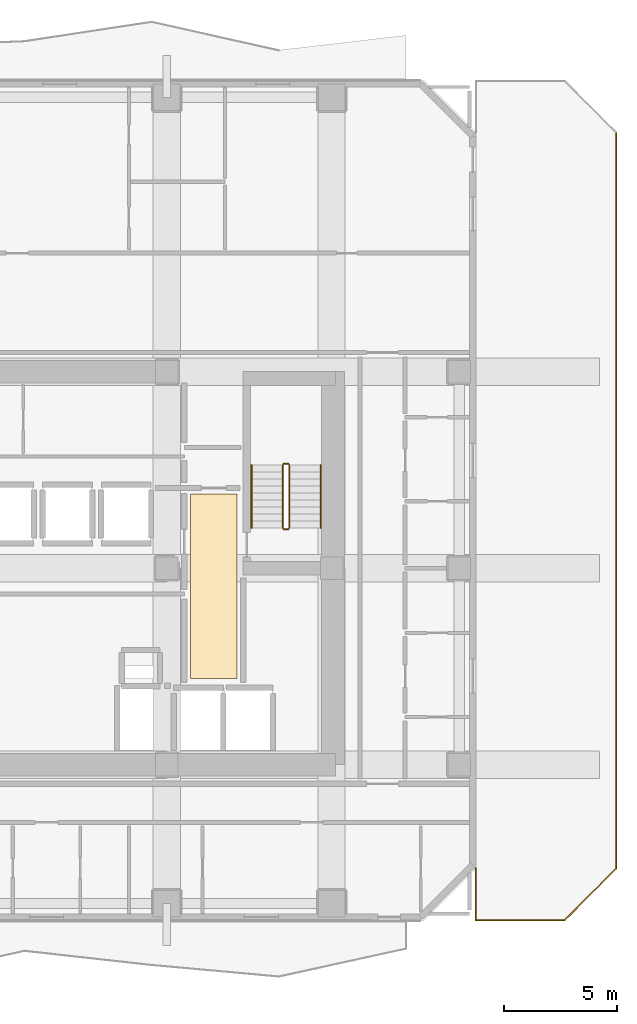
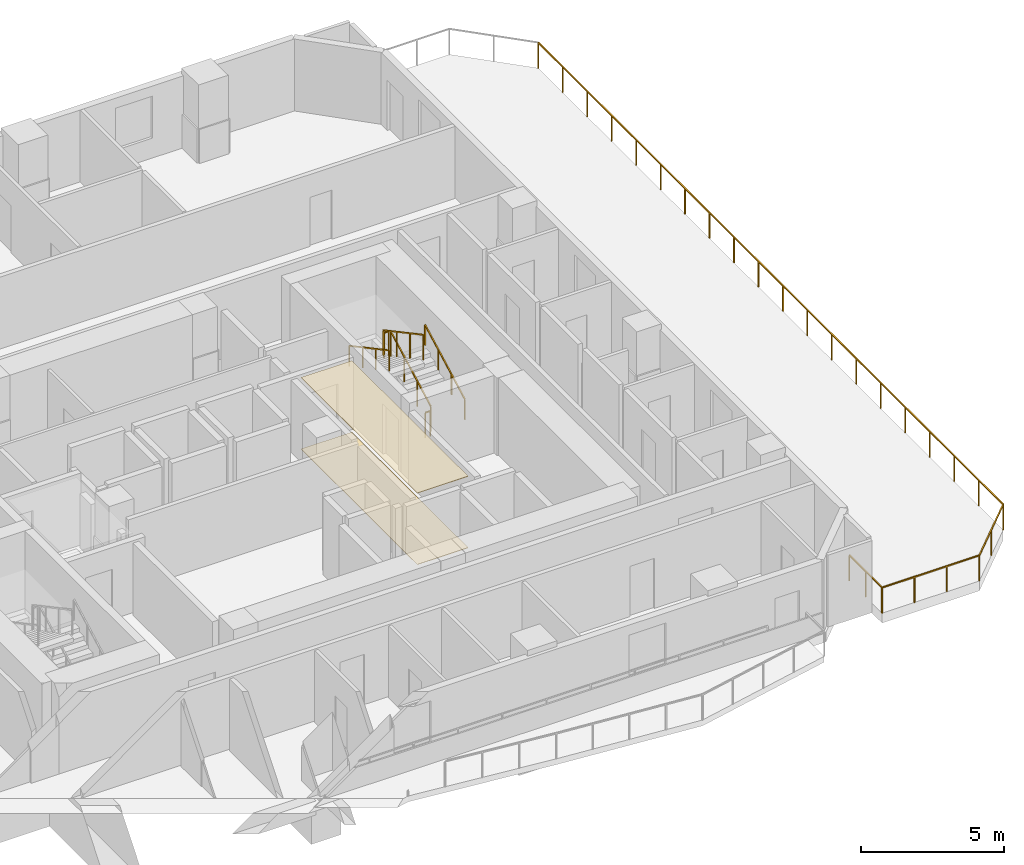
# One storey, part 10 of 11: 10 railings, 2 coverings.
"""IFC4 building model written with IfcOpenShell, lengths in metres."""

from ifc_helpers import new_model, si_unit, direction, frame, origin, origin_2d, place, context, subcontext, project, spatial, polyline, rectangle, outline, extrude, material, layer, layer_set, type_object, element, save


model = new_model("IFC4")

# Units and contexts
model_context = context("Model", 3, precision=1e-05, world=origin(), true_north=direction((0.0, 1.0)))
body_context = subcontext(model_context, "Body", "Model", "MODEL_VIEW")
ifc_project = project(units=[si_unit("LENGTHUNIT", "METRE"), si_unit("AREAUNIT", "SQUARE_METRE"), si_unit("VOLUMEUNIT", "CUBIC_METRE"), si_unit("PLANEANGLEUNIT", "RADIAN"), si_unit("MASSUNIT", "GRAM", prefix="KILO")], contexts=[model_context])

# Site, building, storey
site_placement = place(None, origin())
site = spatial("IfcSite", under=ifc_project, at=site_placement, CompositionType="ELEMENT")
building_placement = place(site_placement, origin())
building = spatial("IfcBuilding", under=site, at=building_placement, Name="Solanera Arch Residences", CompositionType="ELEMENT")
storey_placement = place(building_placement, frame((0.0, 0.0, 165.840087890625)))
storey = spatial("IfcBuildingStorey", under=building, at=storey_placement, Name="L48", CompositionType="ELEMENT", Elevation=165.840087890625)

# Railings
ifc_material_1 = material(Name="Steel S355 (ASTM A992 / A572 Grade 50)", Category="steel")
railing_type_1 = type_object("IfcRailingType", Name="Balustrade Railing BL-1100", PredefinedType="BALUSTRADE", material=ifc_material_1)
railing_1_placement = place(storey_placement, frame((42.8798828125, 17.407958984375, 0.0)))
element("IfcRailing", 1, at=railing_1_placement, inside=storey, type_object=railing_type_1, Name="L48 Sky Terrace Guardrail 1", PredefinedType="BALUSTRADE", context=body_context, shape_type="SweptSolid", body=[
    extrude(rectangle(XDim=0.048095703125, YDim=0.048095703125, at=origin_2d()), frame((0.0, 0.0, 1.09619140625), z_axis=(0.0, -1.0, 0.0), x_axis=(1.0, 0.0, 0.0)), (0.0, 0.0, 1.0), 2.287841796875),
    extrude(rectangle(XDim=0.0419921875, YDim=0.0419921875, at=origin_2d()), origin(), (0.0, 0.0, 1.0), 1.072021484375),
    extrude(rectangle(XDim=0.0419921875, YDim=0.0419921875, at=origin_2d()), frame((0.0, -1.14404296875, 0.0)), (0.0, 0.0, 1.0), 1.072021484375),
    extrude(rectangle(XDim=0.0419921875, YDim=0.0419921875, at=origin_2d()), frame((0.0, -2.287841796875, 0.0)), (0.0, 0.0, 1.0), 1.072021484375),
])
railing_2_placement = place(storey_placement, frame((42.8798828125, 15.1201171875, 0.0)))
element("IfcRailing", 2, at=railing_2_placement, inside=storey, type_object=railing_type_1, Name="L48 Sky Terrace Guardrail 1", PredefinedType="BALUSTRADE", context=body_context, shape_type="SweptSolid", body=[
    extrude(rectangle(XDim=0.048095703125, YDim=0.048095703125, at=origin_2d()), frame((0.0, 0.0, 1.09619140625), z_axis=(1.0, 0.0, 0.0), x_axis=(0.0, 1.0, 0.0)), (0.0, 0.0, 1.0), 3.940185546875),
    extrude(rectangle(XDim=0.0419921875, YDim=0.0419921875, at=origin_2d()), origin(), (0.0, 0.0, 1.0), 1.072021484375),
    extrude(rectangle(XDim=0.0419921875, YDim=0.0419921875, at=origin_2d()), frame((1.3134765625, 0.0, 0.0)), (0.0, 0.0, 1.0), 1.072021484375),
    extrude(rectangle(XDim=0.0419921875, YDim=0.0419921875, at=origin_2d()), frame((2.626708984375, 0.0, 0.0)), (0.0, 0.0, 1.0), 1.072021484375),
    extrude(rectangle(XDim=0.0419921875, YDim=0.0419921875, at=origin_2d()), frame((3.940185546875, 0.0, 0.0)), (0.0, 0.0, 1.0), 1.072021484375),
])
railing_3_placement = place(storey_placement, frame((46.820068359375, 15.1201171875, 0.0)))
element("IfcRailing", 3, at=railing_3_placement, inside=storey, type_object=railing_type_1, Name="L48 Sky Terrace Guardrail 1", PredefinedType="BALUSTRADE", context=body_context, shape_type="SweptSolid", body=[
    extrude(rectangle(XDim=0.048095703125, YDim=0.048095703125, at=origin_2d()), frame((0.0, 0.0, 1.09619140625), z_axis=(0.707144639935, 0.707068920411, 0.0), x_axis=(-0.707068920411, 0.707144639935, 0.0)), (0.0, 0.0, 1.0), 3.224365234375),
    extrude(rectangle(XDim=0.0419921875, YDim=0.0419921875, at=origin_2d()), origin(), (0.0, 0.0, 1.0), 1.072021484375),
    extrude(rectangle(XDim=0.0419921875, YDim=0.0419921875, at=origin_2d()), frame((1.14013671875, 1.139892578125, 0.0)), (0.0, 0.0, 1.0), 1.072021484375),
    extrude(rectangle(XDim=0.0419921875, YDim=0.0419921875, at=origin_2d()), frame((2.280029296875, 2.27978515625, 0.0)), (0.0, 0.0, 1.0), 1.072021484375),
])
railing_4_placement = place(storey_placement, frame((49.10009765625, 17.39990234375, 0.0)))
element("IfcRailing", 4, at=railing_4_placement, inside=storey, type_object=railing_type_1, Name="L48 Sky Terrace Guardrail 1", PredefinedType="BALUSTRADE", context=body_context, shape_type="SweptSolid", body=[
    extrude(rectangle(XDim=0.048095703125, YDim=0.048095703125, at=origin_2d()), frame((0.0, 0.0, 1.09619140625), z_axis=(0.0, 1.0, 0.0), x_axis=(-1.0, 0.0, 0.0)), (0.0, 0.0, 1.0), 32.60009765625),
    extrude(rectangle(XDim=0.0419921875, YDim=0.0419921875, at=origin_2d()), origin(), (0.0, 0.0, 1.0), 1.072021484375),
    extrude(rectangle(XDim=0.0419921875, YDim=0.0419921875, at=origin_2d()), frame((0.0, 1.7158203125, 0.0)), (0.0, 0.0, 1.0), 1.072021484375),
    extrude(rectangle(XDim=0.0419921875, YDim=0.0419921875, at=origin_2d()), frame((0.0, 3.431640625, 0.0)), (0.0, 0.0, 1.0), 1.072021484375),
    extrude(rectangle(XDim=0.0419921875, YDim=0.0419921875, at=origin_2d()), frame((0.0, 5.1474609375, 0.0)), (0.0, 0.0, 1.0), 1.072021484375),
    extrude(rectangle(XDim=0.0419921875, YDim=0.0419921875, at=origin_2d()), frame((0.0, 6.86328125, 0.0)), (0.0, 0.0, 1.0), 1.072021484375),
    extrude(rectangle(XDim=0.0419921875, YDim=0.0419921875, at=origin_2d()), frame((0.0, 8.578857421875, 0.0)), (0.0, 0.0, 1.0), 1.072021484375),
    extrude(rectangle(XDim=0.0419921875, YDim=0.0419921875, at=origin_2d()), frame((0.0, 10.294677734375, 0.0)), (0.0, 0.0, 1.0), 1.072021484375),
    extrude(rectangle(XDim=0.0419921875, YDim=0.0419921875, at=origin_2d()), frame((0.0, 12.010498046875, 0.0)), (0.0, 0.0, 1.0), 1.072021484375),
    extrude(rectangle(XDim=0.0419921875, YDim=0.0419921875, at=origin_2d()), frame((0.0, 13.726318359375, 0.0)), (0.0, 0.0, 1.0), 1.072021484375),
    extrude(rectangle(XDim=0.0419921875, YDim=0.0419921875, at=origin_2d()), frame((0.0, 15.442138671875, 0.0)), (0.0, 0.0, 1.0), 1.072021484375),
    extrude(rectangle(XDim=0.0419921875, YDim=0.0419921875, at=origin_2d()), frame((0.0, 17.157958984375, 0.0)), (0.0, 0.0, 1.0), 1.072021484375),
    extrude(rectangle(XDim=0.0419921875, YDim=0.0419921875, at=origin_2d()), frame((0.0, 18.873779296875, 0.0)), (0.0, 0.0, 1.0), 1.072021484375),
    extrude(rectangle(XDim=0.0419921875, YDim=0.0419921875, at=origin_2d()), frame((0.0, 20.589599609375, 0.0)), (0.0, 0.0, 1.0), 1.072021484375),
    extrude(rectangle(XDim=0.0419921875, YDim=0.0419921875, at=origin_2d()), frame((0.0, 22.305419921875, 0.0)), (0.0, 0.0, 1.0), 1.072021484375),
    extrude(rectangle(XDim=0.0419921875, YDim=0.0419921875, at=origin_2d()), frame((0.0, 24.021240234375, 0.0)), (0.0, 0.0, 1.0), 1.072021484375),
    extrude(rectangle(XDim=0.0419921875, YDim=0.0419921875, at=origin_2d()), frame((0.0, 25.73681640625, 0.0)), (0.0, 0.0, 1.0), 1.072021484375),
    extrude(rectangle(XDim=0.0419921875, YDim=0.0419921875, at=origin_2d()), frame((0.0, 27.45263671875, 0.0)), (0.0, 0.0, 1.0), 1.072021484375),
    extrude(rectangle(XDim=0.0419921875, YDim=0.0419921875, at=origin_2d()), frame((0.0, 29.16845703125, 0.0)), (0.0, 0.0, 1.0), 1.072021484375),
    extrude(rectangle(XDim=0.0419921875, YDim=0.0419921875, at=origin_2d()), frame((0.0, 30.88427734375, 0.0)), (0.0, 0.0, 1.0), 1.072021484375),
    extrude(rectangle(XDim=0.0419921875, YDim=0.0419921875, at=origin_2d()), frame((0.0, 32.60009765625, 0.0)), (0.0, 0.0, 1.0), 1.072021484375),
])

# Covering
ifc_material_2 = material(Name="Porcelain Acoustic Floor Tile", Category="ceramic")
ifc_layer_1 = layer(ifc_material_2, 0.02001953125)
ifc_layer_set_1 = layer_set([ifc_layer_1], Name="Porcelain Acoustic Floor Tile")
covering_type_1 = type_object("IfcCoveringType", Name="Porcelain Acoustic Floor Finish FLR-20", PredefinedType="FLOORING", material=ifc_layer_set_1)
covering_1_placement = place(storey_placement, origin())
element("IfcCovering", 5, at=covering_1_placement, inside=storey, type_object=covering_type_1, Name="L48-FFL-E Porcelain Floor Finish", PredefinedType="FLOORING", context=body_context, shape_type="SweptSolid", body=[
    extrude(outline(polyline([(32.304931640625, 25.824951171875), (30.25, 25.824951171875), (30.25, 33.97509765625), (32.304931640625, 33.97509765625), (32.304931640625, 25.824951171875)])), origin(), (0.0, 0.0, 1.0), 0.02001953125),
])

# Railings
ifc_material_3 = material(Name="Steel S355 (ASTM A992 / A572 Grade 50)", Category="steel")
railing_type_2 = type_object("IfcRailingType", Name="Stair Guardrail GR-1100", PredefinedType="GUARDRAIL", material=ifc_material_3)
railing_5_placement = place(storey_placement, frame((34.6298828125, 32.47998046875, 0.15087890625)))
element("IfcRailing", 6, at=railing_5_placement, inside=storey, type_object=railing_type_2, Name="L48 ST-T2 stair guard 1", PredefinedType="GUARDRAIL", context=body_context, shape_type="SweptSolid", body=[
    extrude(rectangle(XDim=0.048095703125, YDim=0.048095703125, at=origin_2d()), frame((0.0, 0.0, 1.076171875), z_axis=(0.0, 0.881548766853, 0.472092969298), x_axis=(-1.0, 0.0, 0.0)), (0.0, 0.0, 1.0), 3.1650390625),
    extrude(rectangle(XDim=0.0419921875, YDim=0.0419921875, at=origin_2d()), origin(), (0.0, 0.0, 1.0), 1.052001953125),
    extrude(rectangle(XDim=0.0419921875, YDim=0.0419921875, at=origin_2d()), frame((0.0, 0.929931640625, 0.498046875)), (0.0, 0.0, 1.0), 1.052001953125),
    extrude(rectangle(XDim=0.0419921875, YDim=0.0419921875, at=origin_2d()), frame((0.0, 1.860107421875, 0.99609375)), (0.0, 0.0, 1.0), 1.052001953125),
    extrude(rectangle(XDim=0.0419921875, YDim=0.0419921875, at=origin_2d()), frame((0.0, 2.7900390625, 1.494140625)), (0.0, 0.0, 1.0), 1.052001953125),
])
railing_6_placement = place(storey_placement, frame((34.580078125, 35.320068359375, 1.64501953125)))
element("IfcRailing", 7, at=railing_6_placement, inside=storey, type_object=railing_type_2, Name="L48 ST-T2 stair guard 2", PredefinedType="GUARDRAIL", context=body_context, shape_type="SweptSolid", body=[
    extrude(rectangle(XDim=0.048095703125, YDim=0.048095703125, at=origin_2d()), frame((0.0, 0.0, 1.076171875), z_axis=(-1.0, 0.0, 0.0), x_axis=(0.0, -1.0, 0.0)), (0.0, 0.0, 1.0), 0.2001953125),
    extrude(rectangle(XDim=0.0419921875, YDim=0.0419921875, at=origin_2d()), origin(), (0.0, 0.0, 1.0), 1.052001953125),
    extrude(rectangle(XDim=0.0419921875, YDim=0.0419921875, at=origin_2d()), frame((-0.2001953125, 0.0, 0.0)), (0.0, 0.0, 1.0), 1.052001953125),
])
railing_7_placement = place(storey_placement, frame((34.330078125, 35.27001953125, 1.810791015625)))
element("IfcRailing", 8, at=railing_7_placement, inside=storey, type_object=railing_type_2, Name="L48 ST-T2 stair guard 3", PredefinedType="GUARDRAIL", context=body_context, shape_type="SweptSolid", body=[
    extrude(rectangle(XDim=0.048095703125, YDim=0.048095703125, at=origin_2d()), frame((0.0, 0.0, 1.076171875), z_axis=(0.0, -0.881548766853, 0.472092969298), x_axis=(1.0, 0.0, 0.0)), (0.0, 0.0, 1.0), 3.1650390625),
    extrude(rectangle(XDim=0.0419921875, YDim=0.0419921875, at=origin_2d()), origin(), (0.0, 0.0, 1.0), 1.052001953125),
    extrude(rectangle(XDim=0.0419921875, YDim=0.0419921875, at=origin_2d()), frame((0.0, -0.929931640625, 0.498046875)), (0.0, 0.0, 1.0), 1.052001953125),
    extrude(rectangle(XDim=0.0419921875, YDim=0.0419921875, at=origin_2d()), frame((0.0, -1.860107421875, 0.99609375)), (0.0, 0.0, 1.0), 1.052001953125),
    extrude(rectangle(XDim=0.0419921875, YDim=0.0419921875, at=origin_2d()), frame((0.0, -2.7900390625, 1.494140625)), (0.0, 0.0, 1.0), 1.052001953125),
])
railing_8_placement = place(storey_placement, frame((34.580078125, 32.429931640625, -0.01513671875)))
element("IfcRailing", 9, at=railing_8_placement, inside=storey, type_object=railing_type_2, Name="L48 ST-T2 stair guard 4", PredefinedType="GUARDRAIL", context=body_context, shape_type="SweptSolid", body=[
    extrude(rectangle(XDim=0.048095703125, YDim=0.048095703125, at=origin_2d()), frame((0.0, 0.0, 1.076171875), z_axis=(-1.0, 0.0, 0.0), x_axis=(0.0, -1.0, 0.0)), (0.0, 0.0, 1.0), 0.2001953125),
    extrude(rectangle(XDim=0.0419921875, YDim=0.0419921875, at=origin_2d()), origin(), (0.0, 0.0, 1.0), 1.052001953125),
    extrude(rectangle(XDim=0.0419921875, YDim=0.0419921875, at=origin_2d()), frame((-0.2001953125, 0.0, 0.0)), (0.0, 0.0, 1.0), 1.052001953125),
])
ifc_material_4 = material(Name="Steel S355 (ASTM A992 / A572 Grade 50)", Category="steel")
railing_type_3 = type_object("IfcRailingType", Name="Stair Wall Handrail HR-920", PredefinedType="HANDRAIL", material=ifc_material_4)
railing_9_placement = place(storey_placement, frame((36.010009765625, 32.47998046875, 0.166015625)))
element("IfcRailing", 10, at=railing_9_placement, inside=storey, type_object=railing_type_3, Name="L48 ST-T2 stair handrail 1", PredefinedType="HANDRAIL", context=body_context, shape_type="SweptSolid", body=[
    extrude(rectangle(XDim=0.048095703125, YDim=0.048095703125, at=origin_2d()), frame((0.0, 0.0, 0.8759765625), z_axis=(0.0, 0.881580869306, 0.472033018838), x_axis=(-1.0, 0.0, 0.0)), (0.0, 0.0, 1.0), 3.164794921875),
    extrude(rectangle(XDim=0.0419921875, YDim=0.0419921875, at=origin_2d()), origin(), (0.0, 0.0, 1.0), 0.851806640625),
    extrude(rectangle(XDim=0.0419921875, YDim=0.0419921875, at=origin_2d()), frame((0.0, 0.929931640625, 0.498046875)), (0.0, 0.0, 1.0), 0.851806640625),
    extrude(rectangle(XDim=0.0419921875, YDim=0.0419921875, at=origin_2d()), frame((0.0, 1.860107421875, 0.995849609375)), (0.0, 0.0, 1.0), 0.851806640625),
    extrude(rectangle(XDim=0.0419921875, YDim=0.0419921875, at=origin_2d()), frame((0.0, 2.7900390625, 1.493896484375)), (0.0, 0.0, 1.0), 0.851806640625),
])
railing_10_placement = place(storey_placement, frame((32.949951171875, 35.27001953125, 1.825927734375)))
element("IfcRailing", 11, at=railing_10_placement, inside=storey, type_object=railing_type_3, Name="L48 ST-T2 stair handrail 2", PredefinedType="HANDRAIL", context=body_context, shape_type="SweptSolid", body=[
    extrude(rectangle(XDim=0.048095703125, YDim=0.048095703125, at=origin_2d()), frame((0.0, 0.0, 0.8759765625), z_axis=(0.0, -0.881580869306, 0.472033018838), x_axis=(1.0, 0.0, 0.0)), (0.0, 0.0, 1.0), 3.164794921875),
    extrude(rectangle(XDim=0.0419921875, YDim=0.0419921875, at=origin_2d()), origin(), (0.0, 0.0, 1.0), 0.851806640625),
    extrude(rectangle(XDim=0.0419921875, YDim=0.0419921875, at=origin_2d()), frame((0.0, -0.929931640625, 0.498046875)), (0.0, 0.0, 1.0), 0.851806640625),
    extrude(rectangle(XDim=0.0419921875, YDim=0.0419921875, at=origin_2d()), frame((0.0, -1.860107421875, 0.995849609375)), (0.0, 0.0, 1.0), 0.851806640625),
    extrude(rectangle(XDim=0.0419921875, YDim=0.0419921875, at=origin_2d()), frame((0.0, -2.7900390625, 1.493896484375)), (0.0, 0.0, 1.0), 0.851806640625),
])

# Covering
ifc_material_5 = material(Name="Mineral Fibre Acoustic Ceiling Board", Category="gypsum")
ifc_layer_2 = layer(ifc_material_5, 0.02490234375)
ifc_layer_set_2 = layer_set([ifc_layer_2], Name="Mineral Fibre Acoustic Ceiling Board")
covering_type_2 = type_object("IfcCoveringType", Name="Suspended Acoustic Ceiling Board CLG-25", PredefinedType="CEILING", material=ifc_layer_set_2)
covering_2_placement = place(storey_placement, frame((0.0, 0.0, 3.054931640625)))
element("IfcCovering", 12, at=covering_2_placement, inside=storey, type_object=covering_type_2, Name="L48-FFL-E Acoustic Ceiling", PredefinedType="CEILING", context=body_context, shape_type="SweptSolid", body=[
    extrude(outline(polyline([(32.304931640625, 25.824951171875), (30.25, 25.824951171875), (30.25, 33.97509765625), (32.304931640625, 33.97509765625), (32.304931640625, 25.824951171875)])), origin(), (0.0, 0.0, 1.0), 0.02490234375),
])

save(model, "model.ifc")
